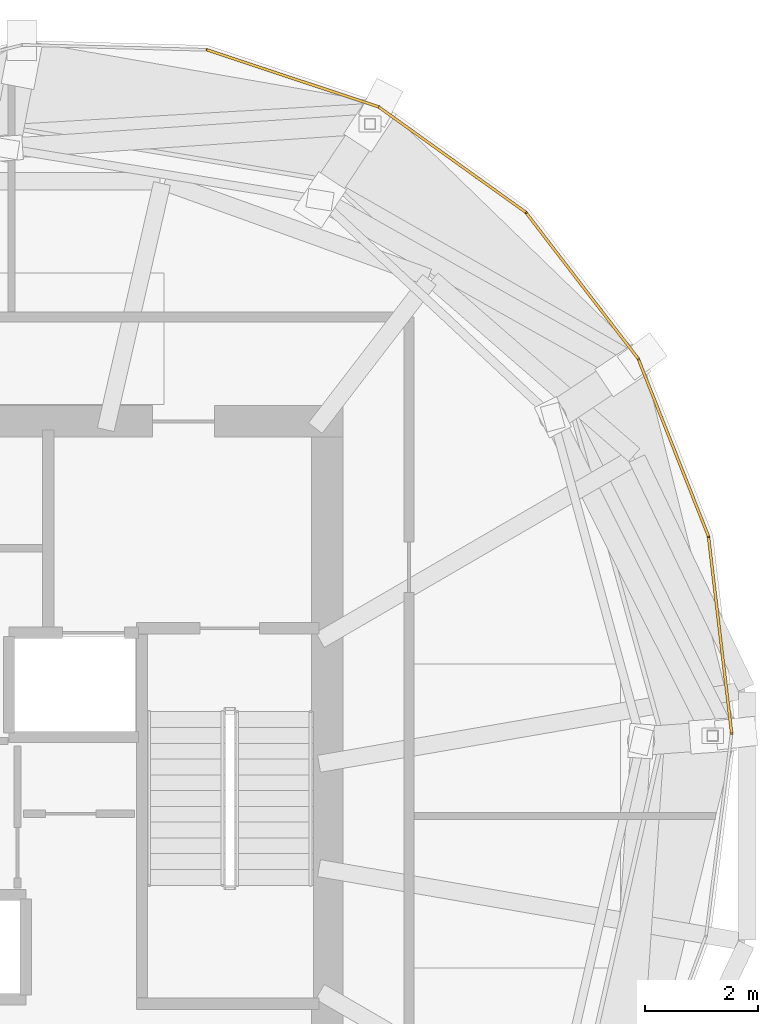
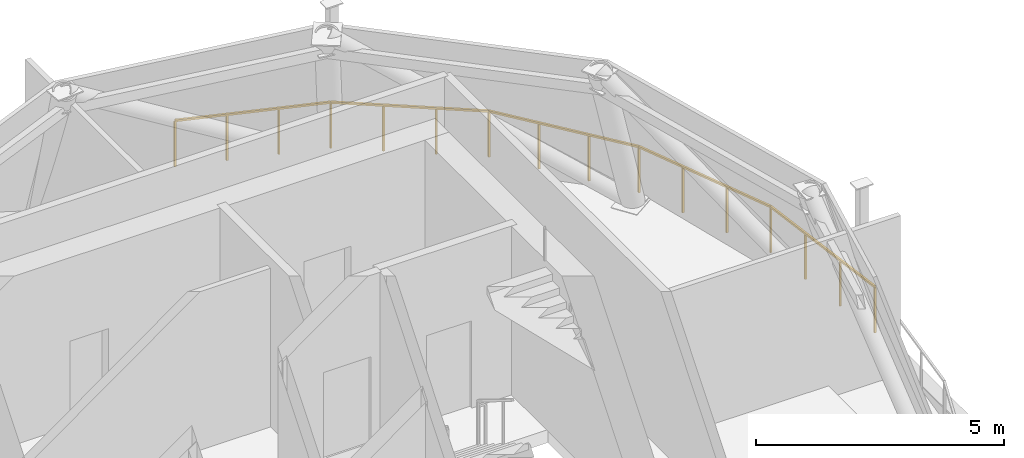
# One storey, part 7 of 7: 5 railings.
"""IFC4 building model written with IfcOpenShell, lengths in metres."""

from ifc_helpers import new_model, si_unit, direction, frame, origin, origin_2d, place, context, subcontext, project, spatial, rectangle, extrude, material, type_object, element, save


model = new_model("IFC4")

# Units and contexts
model_context = context("Model", 3, precision=1e-05, world=origin(), true_north=direction((0.0, 1.0)))
body_context = subcontext(model_context, "Body", "Model", "MODEL_VIEW")
ifc_project = project(units=[si_unit("LENGTHUNIT", "METRE"), si_unit("AREAUNIT", "SQUARE_METRE"), si_unit("VOLUMEUNIT", "CUBIC_METRE"), si_unit("PLANEANGLEUNIT", "RADIAN"), si_unit("MASSUNIT", "GRAM", prefix="KILO")], contexts=[model_context])

# Site, building, storey
site_placement = place(None, origin())
site = spatial("IfcSite", under=ifc_project, at=site_placement, CompositionType="ELEMENT")
building_placement = place(site_placement, origin())
building = spatial("IfcBuilding", under=site, at=building_placement, Name="Veldorim Arch Residences", CompositionType="ELEMENT")
storey_placement = place(building_placement, frame((0.0, 0.0, 251.0400390625)))
storey = spatial("IfcBuildingStorey", under=building, at=storey_placement, Name="L75", CompositionType="ELEMENT", Elevation=251.0400390625)

# Railings
ifc_material = material(Name="Aluminium", Category="aluminium")
railing_type = type_object("IfcRailingType", Name="Balcony & Terrace Laminated Glass Balustrade 1150", PredefinedType="BALUSTRADE", material=ifc_material)
railing_1_placement = place(storey_placement, frame((38.409912109375, 36.580078125, 0.0)))
element("IfcRailing", 1, at=railing_1_placement, inside=storey, type_object=railing_type, Name="L75 crown plant perimeter safety balustrade 01", PredefinedType="BALUSTRADE", context=body_context, shape_type="SweptSolid", body=[
    extrude(rectangle(XDim=0.048095703125, YDim=0.048095703125, at=origin_2d()), frame((0.0, 0.0, 1.1259765625), z_axis=(0.813044022232, -0.582202213936, 0.0), x_axis=(0.582202213936, 0.813044022232, 0.0)), (0.0, 0.0, 1.0), 3.208740234375),
    extrude(rectangle(XDim=0.0419921875, YDim=0.0419921875, at=origin_2d()), origin(), (0.0, 0.0, 1.0), 1.101806640625),
    extrude(rectangle(XDim=0.0419921875, YDim=0.0419921875, at=origin_2d()), frame((0.86962890625, -0.622802734375, 0.0)), (0.0, 0.0, 1.0), 1.101806640625),
    extrude(rectangle(XDim=0.0419921875, YDim=0.0419921875, at=origin_2d()), frame((1.7392578125, -1.245361328125, 0.0)), (0.0, 0.0, 1.0), 1.101806640625),
    extrude(rectangle(XDim=0.0419921875, YDim=0.0419921875, at=origin_2d()), frame((2.60888671875, -1.8681640625, 0.0)), (0.0, 0.0, 1.0), 1.101806640625),
])
railing_2_placement = place(storey_placement, frame((41.018798828125, 34.7119140625, 0.0)))
element("IfcRailing", 2, at=railing_2_placement, inside=storey, type_object=railing_type, Name="L75 crown plant perimeter safety balustrade 02", PredefinedType="BALUSTRADE", context=body_context, shape_type="SweptSolid", body=[
    extrude(rectangle(XDim=0.048095703125, YDim=0.048095703125, at=origin_2d()), frame((0.0, 0.0, 1.1259765625), z_axis=(0.609224446762, -0.79299783951, 0.0), x_axis=(0.79299783951, 0.609224446762, 0.0)), (0.0, 0.0, 1.0), 3.276123046875),
    extrude(rectangle(XDim=0.0419921875, YDim=0.0419921875, at=origin_2d()), origin(), (0.0, 0.0, 1.0), 1.101806640625),
    extrude(rectangle(XDim=0.0419921875, YDim=0.0419921875, at=origin_2d()), frame((0.665283203125, -0.865966796875, 0.0)), (0.0, 0.0, 1.0), 1.101806640625),
    extrude(rectangle(XDim=0.0419921875, YDim=0.0419921875, at=origin_2d()), frame((1.33056640625, -1.73193359375, 0.0)), (0.0, 0.0, 1.0), 1.101806640625),
    extrude(rectangle(XDim=0.0419921875, YDim=0.0419921875, at=origin_2d()), frame((1.995849609375, -2.597900390625, 0.0)), (0.0, 0.0, 1.0), 1.101806640625),
])
railing_3_placement = place(storey_placement, frame((43.0146484375, 32.114013671875, 0.0)))
element("IfcRailing", 3, at=railing_3_placement, inside=storey, type_object=railing_type, Name="L75 crown plant perimeter safety balustrade 03", PredefinedType="BALUSTRADE", context=body_context, shape_type="SweptSolid", body=[
    extrude(rectangle(XDim=0.048095703125, YDim=0.048095703125, at=origin_2d()), frame((0.0, 0.0, 1.1259765625), z_axis=(0.36778637067, -0.929910310487, 0.0), x_axis=(0.929910310487, 0.36778637067, 0.0)), (0.0, 0.0, 1.0), 3.389404296875),
    extrude(rectangle(XDim=0.0419921875, YDim=0.0419921875, at=origin_2d()), origin(), (0.0, 0.0, 1.0), 1.101806640625),
    extrude(rectangle(XDim=0.0419921875, YDim=0.0419921875, at=origin_2d()), frame((0.41552734375, -1.050537109375, 0.0)), (0.0, 0.0, 1.0), 1.101806640625),
    extrude(rectangle(XDim=0.0419921875, YDim=0.0419921875, at=origin_2d()), frame((0.8310546875, -2.101318359375, 0.0)), (0.0, 0.0, 1.0), 1.101806640625),
    extrude(rectangle(XDim=0.0419921875, YDim=0.0419921875, at=origin_2d()), frame((1.24658203125, -3.15185546875, 0.0)), (0.0, 0.0, 1.0), 1.101806640625),
])
railing_4_placement = place(storey_placement, frame((44.26123046875, 28.962158203125, 0.0)))
element("IfcRailing", 4, at=railing_4_placement, inside=storey, type_object=railing_type, Name="L75 crown plant perimeter safety balustrade 04", PredefinedType="BALUSTRADE", context=body_context, shape_type="SweptSolid", body=[
    extrude(rectangle(XDim=0.048095703125, YDim=0.048095703125, at=origin_2d()), frame((0.0, 0.0, 1.1259765625), z_axis=(0.116946007514, -0.993138274022, 0.0), x_axis=(0.993138274022, 0.116946007514, 0.0)), (0.0, 0.0, 1.0), 3.515625),
    extrude(rectangle(XDim=0.0419921875, YDim=0.0419921875, at=origin_2d()), origin(), (0.0, 0.0, 1.0), 1.101806640625),
    extrude(rectangle(XDim=0.0419921875, YDim=0.0419921875, at=origin_2d()), frame((0.136962890625, -1.163818359375, 0.0)), (0.0, 0.0, 1.0), 1.101806640625),
    extrude(rectangle(XDim=0.0419921875, YDim=0.0419921875, at=origin_2d()), frame((0.274169921875, -2.32763671875, 0.0)), (0.0, 0.0, 1.0), 1.101806640625),
    extrude(rectangle(XDim=0.0419921875, YDim=0.0419921875, at=origin_2d()), frame((0.4111328125, -3.491455078125, 0.0)), (0.0, 0.0, 1.0), 1.101806640625),
])
railing_5_placement = place(storey_placement, frame((35.364990234375, 37.592529296875, 0.0)))
element("IfcRailing", 5, at=railing_5_placement, inside=storey, type_object=railing_type, Name="L75 crown plant perimeter safety balustrade 24", PredefinedType="BALUSTRADE", context=body_context, shape_type="SweptSolid", body=[
    extrude(rectangle(XDim=0.048095703125, YDim=0.048095703125, at=origin_2d()), frame((0.0, 0.0, 1.1259765625), z_axis=(0.948918894387, -0.31552009742, 0.0), x_axis=(0.31552009742, 0.948918894387, 0.0)), (0.0, 0.0, 1.0), 3.208740234375),
    extrude(rectangle(XDim=0.0419921875, YDim=0.0419921875, at=origin_2d()), origin(), (0.0, 0.0, 1.0), 1.101806640625),
    extrude(rectangle(XDim=0.0419921875, YDim=0.0419921875, at=origin_2d()), frame((1.014892578125, -0.33740234375, 0.0)), (0.0, 0.0, 1.0), 1.101806640625),
    extrude(rectangle(XDim=0.0419921875, YDim=0.0419921875, at=origin_2d()), frame((2.030029296875, -0.675048828125, 0.0)), (0.0, 0.0, 1.0), 1.101806640625),
    extrude(rectangle(XDim=0.0419921875, YDim=0.0419921875, at=origin_2d()), frame((3.044921875, -1.012451171875, 0.0)), (0.0, 0.0, 1.0), 1.101806640625),
])

save(model, "model.ifc")
